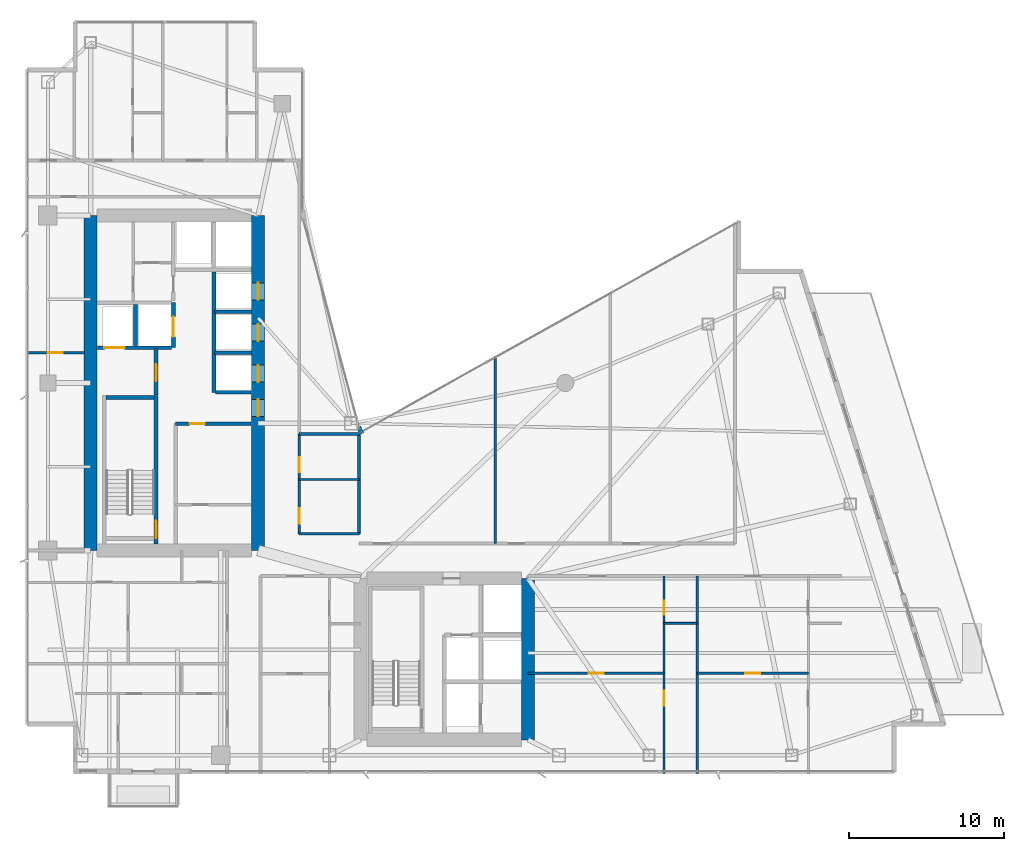
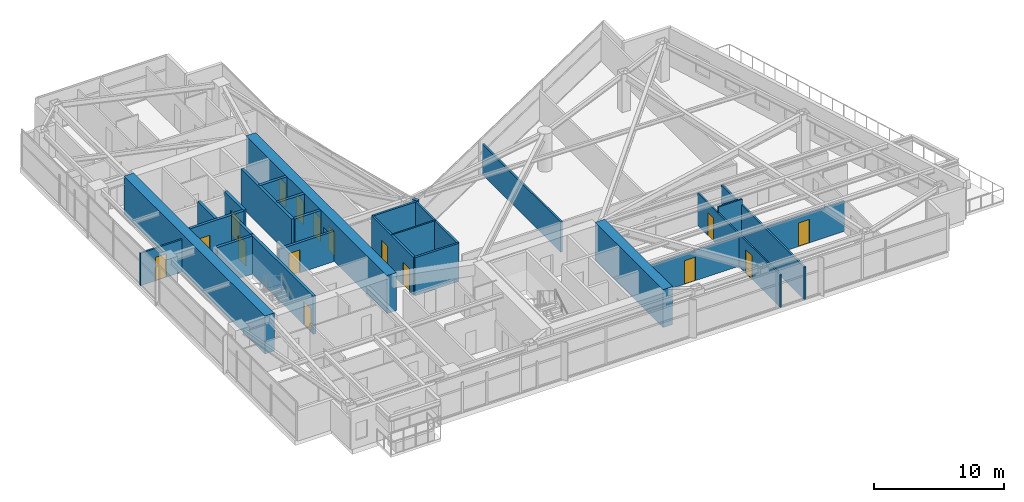
# One storey, part 23 of 28: 27 walls, 16 doors, 16 openings.
"""IFC4 building model written with IfcOpenShell, lengths in metres."""

import ifcopenshell
import ifcopenshell.guid

model = None  # the IFC model being written
_history = None  # IfcOwnerHistory: only IFC2X3 demands one
_inside = {}  # id of a spatial element -> (the spatial element, [elements in it])
_under = {}  # id of a project, library or spatial element -> (it, [spatial elements below it])
_declared = {}  # id of a project -> (the project, [libraries it declares])
_typed = {}  # id of a type object -> (the type object, [elements of that type])
_made_of = {}  # id of a material, layer set ... -> (it, [elements and type objects made of it])


def new_model(schema):
    """Start an empty IFC model of exactly this schema.

    Asked for "IFC4X3", IfcOpenShell would pick the latest addendum, in which some entities
    have other attributes; the version numbers below select the first issue.
    IFC2X3 requires an IfcOwnerHistory on every rooted entity: one is made here for all.
    """
    global model, _history
    if schema == "IFC4X3":
        model = ifcopenshell.file(schema_version=(4, 3, 0, 0))
    else:
        model = ifcopenshell.file(schema=schema)
    _inside.clear()
    _under.clear()
    _declared.clear()
    _typed.clear()
    _made_of.clear()
    _history = None
    if model.schema == "IFC2X3":
        org = make("IfcOrganization", Name="unknown")
        user = make(
            "IfcPersonAndOrganization",
            ThePerson=make("IfcPerson", FamilyName="unknown"),
            TheOrganization=org,
        )
        app = make(
            "IfcApplication",
            ApplicationDeveloper=org,
            Version="unknown",
            ApplicationFullName="unknown",
            ApplicationIdentifier="unknown",
        )
        _history = make(
            "IfcOwnerHistory",
            OwningUser=user,
            OwningApplication=app,
            ChangeAction="ADDED",
            CreationDate=0,
        )
    return model


def make(cls, **values):
    """One entity of the class cls with the attributes given. An attribute that is None is left unset."""
    return model.create_entity(
        cls, **{name: value for name, value in values.items() if value is not None}
    )


def rooted(cls, **values):
    """An entity with a GlobalId (a new one), such as an element, a storey or a relation."""
    return make(cls, GlobalId=ifcopenshell.guid.new(), OwnerHistory=_history, **values)


def si_unit(unit_type, name, prefix=None):
    """IfcSIUnit, for example si_unit("LENGTHUNIT", "METRE", prefix="MILLI")."""
    return make("IfcSIUnit", UnitType=unit_type, Prefix=prefix, Name=name)


def assignment(units):
    """IfcUnitAssignment: the units of a project."""
    return None if units is None else make("IfcUnitAssignment", Units=units)


def point(xyz):
    """IfcCartesianPoint."""
    return None if xyz is None else make("IfcCartesianPoint", Coordinates=xyz)


def direction(xyz):
    """IfcDirection."""
    return None if xyz is None else make("IfcDirection", DirectionRatios=xyz)


def frame(location, z_axis=None, x_axis=None):
    """IfcAxis2Placement3D, a coordinate frame: its origin and axes. An axis left out is left unset."""
    return make(
        "IfcAxis2Placement3D",
        Location=point(location),
        Axis=direction(z_axis),
        RefDirection=direction(x_axis),
    )


def frame_2d(location, x_axis=None):
    """IfcAxis2Placement2D, a coordinate frame in the plane: its origin and x axis."""
    return make(
        "IfcAxis2Placement2D", Location=point(location), RefDirection=direction(x_axis)
    )


def origin():
    """The frame at (0, 0, 0) with its axes left unset."""
    return frame((0.0, 0.0, 0.0))


def place(relative_to, where):
    """IfcLocalPlacement: puts the frame where relative to a parent placement (None: the world)."""
    return make(
        "IfcLocalPlacement", PlacementRelTo=relative_to, RelativePlacement=where
    )


def context(
    kind, dimensions, precision=None, world=None, true_north=None, identifier=None
):
    """IfcGeometricRepresentationContext, for example the 3D "Model" context."""
    return make(
        "IfcGeometricRepresentationContext",
        ContextIdentifier=identifier,
        ContextType=kind,
        CoordinateSpaceDimension=dimensions,
        Precision=precision,
        WorldCoordinateSystem=world,
        TrueNorth=true_north,
    )


def subcontext(parent, identifier, kind, view, scale=None):
    """IfcGeometricRepresentationSubContext, for example "Body" below "Model"."""
    return make(
        "IfcGeometricRepresentationSubContext",
        ContextIdentifier=identifier,
        ContextType=kind,
        ParentContext=parent,
        TargetScale=scale,
        TargetView=view,
    )


def project(units=None, contexts=None):
    """IfcProject with its units and contexts."""
    return rooted(
        "IfcProject",
        Name="project",
        RepresentationContexts=contexts,
        UnitsInContext=assignment(units),
    )


def spatial(cls, under=None, at=None, **own):
    """A site, building, storey or space (cls), placed at a placement, below another one or the project."""
    s = rooted(cls, ObjectPlacement=at, **own)
    if under is not None:
        _under.setdefault(under.id(), (under, []))[1].append(s)
    return s


def profile(cls, at=None, kind="AREA", **sizes):
    """A parametric profile (cls). Its sizes go by their IFC names, for example OverallWidth=200.0."""
    return make(cls, ProfileType=kind, Position=at, **sizes)


def rectangle(**sizes):
    """IfcRectangleProfileDef."""
    return profile("IfcRectangleProfileDef", **sizes)


def extrude(swept, where, along, depth):
    """IfcExtrudedAreaSolid: the profile swept, set in the frame where, extruded along a direction by depth."""
    return make(
        "IfcExtrudedAreaSolid",
        SweptArea=swept,
        Position=where,
        ExtrudedDirection=direction(along),
        Depth=depth,
    )


def shape(context_of_items, identifier, shape_type, items):
    """IfcShapeRepresentation: the items that make up one representation, for example the "Body"."""
    return make(
        "IfcShapeRepresentation",
        ContextOfItems=context_of_items,
        RepresentationIdentifier=identifier,
        RepresentationType=shape_type,
        Items=items,
    )


def material(Name=None, Category=None):
    """IfcMaterial."""
    return make("IfcMaterial", Name=Name, Category=Category)


def layer(
    of_material, thickness, ventilated=None, Name=None, Category=None, Priority=None
):
    """IfcMaterialLayer: one layer of a wall or slab, of a material (None: an air gap)."""
    return make(
        "IfcMaterialLayer",
        Material=of_material,
        LayerThickness=thickness,
        IsVentilated=ventilated,
        Name=Name,
        Category=Category,
        Priority=Priority,
    )


def layer_set(layers, Name=None):
    """IfcMaterialLayerSet."""
    return make("IfcMaterialLayerSet", MaterialLayers=layers, LayerSetName=Name)


def made_of(thing, what):
    """Note that an element or type object is made of a material, layer set ...; save() writes the relation."""
    if what is not None:
        _made_of.setdefault(what.id(), (what, []))[1].append(thing)
    return thing


def type_object(cls, material=None, **own):
    """A type object (cls), such as IfcWallType, which elements share."""
    return made_of(rooted(cls, **own), material)


def element(
    cls,
    number,
    at=None,
    inside=None,
    cuts=None,
    type_object=None,
    material=None,
    context=None,
    identifier="Body",
    shape_type=None,
    held_by="IfcProductDefinitionShape",
    body=None,
    shapes=None,
    **own,
):
    """One element of the class cls, such as IfcWall. Its Tag is "e" and its number.

    at: its placement. inside: the storey or other place that contains it. cuts: it is an
    opening in that element (IfcRelVoidsElement). A single representation is given by context,
    identifier, shape_type and body (its items); several are given by shapes. held_by: the class
    of the entity that holds the representations. save() writes the other relations.
    """
    e = rooted(cls, Tag="e%d" % number, ObjectPlacement=at, **own)
    if body is not None:
        shapes = [shape(context, identifier, shape_type, body)]
    if shapes is not None:
        e.Representation = make(held_by, Representations=shapes)
    if inside is not None:
        _inside.setdefault(inside.id(), (inside, []))[1].append(e)
    if cuts is not None:
        rooted(
            "IfcRelVoidsElement", RelatingBuildingElement=cuts, RelatedOpeningElement=e
        )
    if type_object is not None:
        _typed.setdefault(type_object.id(), (type_object, []))[1].append(e)
    return made_of(e, material)


def fill(opening, filler):
    """IfcRelFillsElement: the door or window that sits in an opening."""
    return rooted(
        "IfcRelFillsElement",
        RelatingOpeningElement=opening,
        RelatedBuildingElement=filler,
    )


def aggregate(whole, parts):
    """IfcRelAggregates: a whole, such as a stair, and the parts it consists of."""
    return rooted("IfcRelAggregates", RelatingObject=whole, RelatedObjects=parts)


def save(model, path):
    """Write the relations noted so far, then the file.

    IfcRelAggregates (storeys below a building ...), IfcRelContainedInSpatialStructure (elements
    in a storey), IfcRelDefinesByType, IfcRelAssociatesMaterial and IfcRelDeclares: one each for
    every whole, place, type object, material and project.
    """
    for whole, parts in _under.values():
        aggregate(whole, parts)
    for where, things in _inside.values():
        rooted(
            "IfcRelContainedInSpatialStructure",
            RelatedElements=things,
            RelatingStructure=where,
        )
    for kind, things in _typed.values():
        rooted("IfcRelDefinesByType", RelatedObjects=things, RelatingType=kind)
    for what, things in _made_of.values():
        rooted("IfcRelAssociatesMaterial", RelatedObjects=things, RelatingMaterial=what)
    for by, libraries in _declared.values():
        rooted("IfcRelDeclares", RelatingContext=by, RelatedDefinitions=libraries)
    model.write(path)


model = new_model("IFC4")

# Units and contexts
model_context = context("Model", 3, precision=1e-05, world=origin(), true_north=direction((0.0, 1.0)))
body_context = subcontext(model_context, "Body", "Model", "MODEL_VIEW")
ifc_project = project(units=[si_unit("LENGTHUNIT", "METRE"), si_unit("AREAUNIT", "SQUARE_METRE"), si_unit("VOLUMEUNIT", "CUBIC_METRE"), si_unit("PLANEANGLEUNIT", "RADIAN"), si_unit("MASSUNIT", "GRAM", prefix="KILO")], contexts=[model_context])

# Site, building, storey
site_placement = place(None, origin())
site = spatial("IfcSite", under=ifc_project, at=site_placement, CompositionType="ELEMENT")
building_placement = place(site_placement, origin())
building = spatial("IfcBuilding", under=site, at=building_placement, Name="Calvorn Quay Hotel", CompositionType="ELEMENT")
storey_placement = place(building_placement, frame((0.0, 0.0, 97.39990234375)))
storey = spatial("IfcBuildingStorey", under=building, at=storey_placement, Name="L23", CompositionType="ELEMENT", Elevation=97.39990234375)

# Wall
ifc_material_1 = material(Name="Concrete C50", Category="concrete")
ifc_layer_1 = layer(ifc_material_1, 0.85009765625)
ifc_layer_set_1 = layer_set([ifc_layer_1], Name="WL-CORE-850")
wall_type_1 = type_object("IfcWallType", Name="WL-CORE-850", PredefinedType="SHEAR", material=ifc_layer_set_1)
wall_1_placement = place(storey_placement, frame((4.199951171875, 16.800048828125, 0.0), z_axis=(0.0, 0.0, 1.0), x_axis=(0.0, 1.0, 0.0)))
element("IfcWall", 1, at=wall_1_placement, inside=storey, type_object=wall_type_1, Name="West Core Shear Wall W (L23)", PredefinedType="SHEAR", context=body_context, shape_type="SweptSolid", body=[
    extrude(rectangle(XDim=21.599853515625, YDim=0.85009765625, at=frame_2d((10.7998046875, 0.0))), origin(), (0.0, 0.0, 1.0), 3.56005859375),
])

# Wall, openings, doors
wall_2_placement = place(storey_placement, frame((15.0, 16.800048828125, 0.0), z_axis=(0.0, 0.0, 1.0), x_axis=(0.0, 1.0, 0.0)))
wall_2 = element("IfcWall", 2, at=wall_2_placement, inside=storey, type_object=wall_type_1, Name="West Core Shear Wall E (L23)", PredefinedType="SHEAR", context=body_context, shape_type="SweptSolid", body=[
    extrude(rectangle(XDim=21.599853515625, YDim=0.85009765625, at=frame_2d((10.7998046875, 0.0))), origin(), (0.0, 0.0, 1.0), 3.56005859375),
])
opening_1_placement = place(wall_2_placement, frame((8.64990234375, 0.0, 0.0)))
opening_1 = element("IfcOpeningElement", 3, at=opening_1_placement, cuts=wall_2, Name="Opening D-L23-CW1", PredefinedType="OPENING", context=body_context, shape_type="SweptSolid", body=[
    extrude(rectangle(XDim=1.10009765625, YDim=2.199951171875, at=frame_2d((0.550048828125, 1.10009765625))), frame((0.0, 0.43505859375, 0.0), z_axis=(0.0, -1.0, 0.0), x_axis=(1.0, 0.0, 0.0)), (0.0, 0.0, 1.0), 0.8701171875),
])
opening_2_placement = place(wall_2_placement, frame((10.85009765625, 0.0, 0.0)))
opening_2 = element("IfcOpeningElement", 4, at=opening_2_placement, cuts=wall_2, Name="Opening LD-L23-M1", PredefinedType="OPENING", context=body_context, shape_type="SweptSolid", body=[
    extrude(rectangle(XDim=1.10009765625, YDim=2.199951171875, at=frame_2d((0.550048828125, 1.10009765625))), frame((0.0, 0.43505859375, 0.0), z_axis=(0.0, -1.0, 0.0), x_axis=(1.0, 0.0, 0.0)), (0.0, 0.0, 1.0), 0.8701171875),
])
opening_3_placement = place(wall_2_placement, frame((13.5, 0.0, 0.0)))
opening_3 = element("IfcOpeningElement", 5, at=opening_3_placement, cuts=wall_2, Name="Opening LD-L23-M2", PredefinedType="OPENING", context=body_context, shape_type="SweptSolid", body=[
    extrude(rectangle(XDim=1.10009765625, YDim=2.199951171875, at=frame_2d((0.550048828125, 1.10009765625))), frame((0.0, 0.43505859375, 0.0), z_axis=(0.0, -1.0, 0.0), x_axis=(1.0, 0.0, 0.0)), (0.0, 0.0, 1.0), 0.8701171875),
])
opening_4_placement = place(wall_2_placement, frame((16.14990234375, 0.0, 0.0)))
opening_4 = element("IfcOpeningElement", 6, at=opening_4_placement, cuts=wall_2, Name="Opening LD-L23-M3", PredefinedType="OPENING", context=body_context, shape_type="SweptSolid", body=[
    extrude(rectangle(XDim=1.10009765625, YDim=2.199951171875, at=frame_2d((0.550048828125, 1.10009765625))), frame((0.0, 0.43505859375, 0.0), z_axis=(0.0, -1.0, 0.0), x_axis=(1.0, 0.0, 0.0)), (0.0, 0.0, 1.0), 0.8701171875),
])
ifc_material_2 = material(Name="Smoke-Sealed Steel Class A Fire Door", Category="steel")
door_type_1 = type_object("IfcDoorType", Name="DR-FFLOBBY-1100", OperationType="NOTDEFINED", PredefinedType="DOOR", material=ifc_material_2)
door_1_placement = place(opening_1_placement, origin())
door_1 = element("IfcDoor", 7, at=door_1_placement, inside=storey, type_object=door_type_1, Name="West Core Vestibule Fire Door (L23)", OperationType="SINGLE_SWING_RIGHT", OverallHeight=2.199951171875, OverallWidth=1.10009765625, PredefinedType="DOOR", context=body_context, shape_type="SweptSolid", body=[
    extrude(rectangle(XDim=1.10009765625, YDim=2.199951171875, at=frame_2d((0.550048828125, 1.10009765625))), frame((0.0, 0.02490234375, 0.0), z_axis=(0.0, -1.0, 0.0), x_axis=(1.0, 0.0, 0.0)), (0.0, 0.0, 1.0), 0.050048828125),
])
fill(opening_1, door_1)
ifc_material_3 = material(Name="Brushed Stainless Steel Sliding Lift Landing Door", Category="steel")
door_type_2 = type_object("IfcDoorType", Name="DR-LIFT-PASS-1100", OperationType="NOTDEFINED", PredefinedType="DOOR", material=ifc_material_3)
door_2_placement = place(opening_2_placement, origin())
door_2 = element("IfcDoor", 8, at=door_2_placement, inside=storey, type_object=door_type_2, Name="Mid-Rise Lift PL-M1 Landing Door (L23)", OperationType="DOUBLE_DOOR_SLIDING", OverallHeight=2.199951171875, OverallWidth=1.10009765625, PredefinedType="DOOR", context=body_context, shape_type="SweptSolid", body=[
    extrude(rectangle(XDim=1.10009765625, YDim=2.199951171875, at=frame_2d((0.550048828125, 1.10009765625))), frame((0.0, 0.02490234375, 0.0), z_axis=(0.0, -1.0, 0.0), x_axis=(1.0, 0.0, 0.0)), (0.0, 0.0, 1.0), 0.050048828125),
])
fill(opening_2, door_2)
door_3_placement = place(opening_3_placement, origin())
door_3 = element("IfcDoor", 9, at=door_3_placement, inside=storey, type_object=door_type_2, Name="Mid-Rise Lift PL-M2 Landing Door (L23)", OperationType="DOUBLE_DOOR_SLIDING", OverallHeight=2.199951171875, OverallWidth=1.10009765625, PredefinedType="DOOR", context=body_context, shape_type="SweptSolid", body=[
    extrude(rectangle(XDim=1.10009765625, YDim=2.199951171875, at=frame_2d((0.550048828125, 1.10009765625))), frame((0.0, 0.02490234375, 0.0), z_axis=(0.0, -1.0, 0.0), x_axis=(1.0, 0.0, 0.0)), (0.0, 0.0, 1.0), 0.050048828125),
])
fill(opening_3, door_3)
door_4_placement = place(opening_4_placement, origin())
door_4 = element("IfcDoor", 10, at=door_4_placement, inside=storey, type_object=door_type_2, Name="Mid-Rise Lift PL-M3 Landing Door (L23)", OperationType="DOUBLE_DOOR_SLIDING", OverallHeight=2.199951171875, OverallWidth=1.10009765625, PredefinedType="DOOR", context=body_context, shape_type="SweptSolid", body=[
    extrude(rectangle(XDim=1.10009765625, YDim=2.199951171875, at=frame_2d((0.550048828125, 1.10009765625))), frame((0.0, 0.02490234375, 0.0), z_axis=(0.0, -1.0, 0.0), x_axis=(1.0, 0.0, 0.0)), (0.0, 0.0, 1.0), 0.050048828125),
])
fill(opening_4, door_4)

# Walls
wall_3_placement = place(storey_placement, frame((32.39990234375, 4.60009765625, 0.0), z_axis=(0.0, 0.0, 1.0), x_axis=(0.0, 1.0, 0.0)))
element("IfcWall", 11, at=wall_3_placement, inside=storey, type_object=wall_type_1, Name="East Core Shear Wall E (L23)", PredefinedType="SHEAR", context=body_context, shape_type="SweptSolid", body=[
    extrude(rectangle(XDim=10.39990234375, YDim=0.85009765625, at=frame_2d((5.199951171875, 0.0))), origin(), (0.0, 0.0, 1.0), 3.56005859375),
])
ifc_material_4 = material(Name="Acoustic Fireboard Steel-Stud Partition", Category="steel")
ifc_layer_2 = layer(ifc_material_4, 0.179931640625)
ifc_layer_set_2 = layer_set([ifc_layer_2], Name="WL-CORR-FIRE-180")
wall_type_2 = type_object("IfcWallType", Name="WL-CORR-FIRE-180", PredefinedType="PARTITIONING", material=ifc_layer_set_2)
wall_4_placement = place(storey_placement, frame((17.64990234375, 17.8798828125, 0.0), z_axis=(0.0, 0.0, 1.0), x_axis=(1.0, 0.0, 0.0)))
element("IfcWall", 12, at=wall_4_placement, inside=storey, type_object=wall_type_2, Name="Partition Wall L23-WL-HK-S", PredefinedType="PARTITIONING", context=body_context, shape_type="SweptSolid", body=[
    extrude(rectangle(XDim=3.900146484375, YDim=0.179931640625, at=frame_2d((1.9501953125, 0.0))), origin(), (0.0, 0.0, 1.0), 3.56005859375),
])
wall_5_placement = place(storey_placement, frame((17.64990234375, 24.320068359375, 0.0), z_axis=(0.0, 0.0, 1.0), x_axis=(1.0, 0.0, 0.0)))
element("IfcWall", 13, at=wall_5_placement, inside=storey, type_object=wall_type_2, Name="Partition Wall L23-WL-HK-N", PredefinedType="PARTITIONING", context=body_context, shape_type="SweptSolid", body=[
    extrude(rectangle(XDim=3.9501953125, YDim=0.179931640625, at=frame_2d((1.97509765625, 0.0))), origin(), (0.0, 0.0, 1.0), 3.56005859375),
])
wall_6_placement = place(storey_placement, frame((21.5, 17.8798828125, 0.0), z_axis=(0.0, 0.0, 1.0), x_axis=(0.0, 1.0, 0.0)))
element("IfcWall", 14, at=wall_6_placement, inside=storey, type_object=wall_type_2, Name="Partition Wall L23-WL-HK-E", PredefinedType="PARTITIONING", context=body_context, shape_type="SweptSolid", body=[
    extrude(rectangle(XDim=6.440185546875, YDim=0.179931640625, at=frame_2d((3.22021484375, 0.0))), origin(), (0.0, 0.0, 1.0), 3.56005859375),
])

# Wall, openings, doors
wall_7_placement = place(storey_placement, frame((17.64990234375, 17.8798828125, 0.0), z_axis=(0.0, 0.0, 1.0), x_axis=(0.0, 1.0, 0.0)))
wall_7 = element("IfcWall", 15, at=wall_7_placement, inside=storey, type_object=wall_type_2, Name="Partition Wall L23-WL-HK-W", PredefinedType="PARTITIONING", context=body_context, shape_type="SweptSolid", body=[
    extrude(rectangle(XDim=6.440185546875, YDim=0.179931640625, at=frame_2d((3.22021484375, 0.0))), origin(), (0.0, 0.0, 1.0), 3.56005859375),
])
opening_5_placement = place(wall_7_placement, frame((0.64990234375, 0.0, 0.0)))
opening_5 = element("IfcOpeningElement", 16, at=opening_5_placement, cuts=wall_7, Name="Opening D-L23-HK", PredefinedType="OPENING", context=body_context, shape_type="SweptSolid", body=[
    extrude(rectangle(XDim=0.97998046875, YDim=2.14990234375, at=frame_2d((0.489990234375, 1.074951171875))), frame((0.0, 0.099853515625, 0.0), z_axis=(0.0, -1.0, 0.0), x_axis=(1.0, 0.0, 0.0)), (0.0, 0.0, 1.0), 0.199951171875),
])
opening_6_placement = place(wall_7_placement, frame((3.969970703125, 0.0, 0.0)))
opening_6 = element("IfcOpeningElement", 17, at=opening_6_placement, cuts=wall_7, Name="Opening D-L23-NCP", PredefinedType="OPENING", context=body_context, shape_type="SweptSolid", body=[
    extrude(rectangle(XDim=0.9599609375, YDim=2.199951171875, at=frame_2d((0.47998046875, 1.10009765625))), frame((0.0, 0.099853515625, 0.0), z_axis=(0.0, -1.0, 0.0), x_axis=(1.0, 0.0, 0.0)), (0.0, 0.0, 1.0), 0.199951171875),
])
ifc_material_5 = material(Name="Painted Steel Housekeeping/Riser Fire Door", Category="steel")
door_type_3 = type_object("IfcDoorType", Name="DR-SERVICE-980", OperationType="NOTDEFINED", PredefinedType="DOOR", material=ifc_material_5)
door_5_placement = place(opening_5_placement, origin())
door_5 = element("IfcDoor", 18, at=door_5_placement, inside=storey, type_object=door_type_3, Name="Floor Housekeeping Door (L23)", OperationType="SINGLE_SWING_LEFT", OverallHeight=2.14990234375, OverallWidth=0.97998046875, PredefinedType="DOOR", context=body_context, shape_type="SweptSolid", body=[
    extrude(rectangle(XDim=0.97998046875, YDim=2.14990234375, at=frame_2d((0.489990234375, 1.074951171875))), frame((0.0, 0.02490234375, 0.0), z_axis=(0.0, -1.0, 0.0), x_axis=(1.0, 0.0, 0.0)), (0.0, 0.0, 1.0), 0.050048828125),
])
fill(opening_5, door_5)
ifc_material_6 = material(Name="Solid Timber Internal Suite Door", Category="wood")
door_type_4 = type_object("IfcDoorType", Name="DR-SUITE-INT-960", OperationType="NOTDEFINED", PredefinedType="DOOR", material=ifc_material_6)
door_6_placement = place(opening_6_placement, origin())
door_6 = element("IfcDoor", 19, at=door_6_placement, inside=storey, type_object=door_type_4, Name="Reading Alcove Door (L23)", OperationType="SINGLE_SWING_RIGHT", OverallHeight=2.199951171875, OverallWidth=0.9599609375, PredefinedType="DOOR", context=body_context, shape_type="SweptSolid", body=[
    extrude(rectangle(XDim=0.9599609375, YDim=2.199951171875, at=frame_2d((0.47998046875, 1.10009765625))), frame((0.0, 0.02490234375, 0.0), z_axis=(0.0, -1.0, 0.0), x_axis=(1.0, 0.0, 0.0)), (0.0, 0.0, 1.0), 0.050048828125),
])
fill(opening_6, door_6)

# Walls
ifc_material_7 = material(Name="Moisture-Resistant Tile-Backed Partition")
ifc_layer_3 = layer(ifc_material_7, 0.125)
ifc_layer_set_3 = layer_set([ifc_layer_3], Name="WL-ENSUITE-125")
wall_type_3 = type_object("IfcWallType", Name="WL-ENSUITE-125", PredefinedType="PARTITIONING", material=ifc_layer_set_3)
wall_8_placement = place(storey_placement, frame((17.64990234375, 21.3798828125, 0.0), z_axis=(0.0, 0.0, 1.0), x_axis=(1.0, 0.0, 0.0)))
element("IfcWall", 20, at=wall_8_placement, inside=storey, type_object=wall_type_3, Name="Partition Wall L23-WL-HK-M", PredefinedType="PARTITIONING", context=body_context, shape_type="SweptSolid", body=[
    extrude(rectangle(XDim=3.900146484375, YDim=0.125, at=frame_2d((1.9501953125, 0.0))), origin(), (0.0, 0.0, 1.0), 3.56005859375),
])
wall_9_placement = place(storey_placement, frame((41.169921875, 12.10009765625, 0.0), z_axis=(0.0, 0.0, 1.0), x_axis=(1.0, 0.0, 0.0)))
element("IfcWall", 21, at=wall_9_placement, inside=storey, type_object=wall_type_3, Name="Partition Wall L23-WL-U06-BDV", PredefinedType="PARTITIONING", context=body_context, shape_type="SweptSolid", body=[
    extrude(rectangle(XDim=2.130126953125, YDim=0.125, at=frame_2d((1.06494140625, 0.0))), origin(), (0.0, 0.0, 1.0), 3.56005859375),
])

# Wall, openings, doors
wall_10_placement = place(storey_placement, frame((41.169921875, 2.43994140625, 0.0), z_axis=(0.0, 0.0, 1.0), x_axis=(0.0, 1.0, 0.0)))
wall_10 = element("IfcWall", 22, at=wall_10_placement, inside=storey, type_object=wall_type_3, Name="Partition Wall L23-WL-U06-BV", PredefinedType="PARTITIONING", context=body_context, shape_type="SweptSolid", body=[
    extrude(rectangle(XDim=12.7099609375, YDim=0.125, at=frame_2d((6.35498046875, 0.0))), origin(), (0.0, 0.0, 1.0), 3.0400390625),
])
opening_7_placement = place(wall_10_placement, frame((4.35009765625, 0.0, 0.0)))
opening_7 = element("IfcOpeningElement", 23, at=opening_7_placement, cuts=wall_10, Name="Opening D-L23-S06", PredefinedType="OPENING", context=body_context, shape_type="SweptSolid", body=[
    extrude(rectangle(XDim=0.9599609375, YDim=2.199951171875, at=frame_2d((0.47998046875, 1.10009765625))), frame((0.0, 0.072509765625, 0.0), z_axis=(0.0, -1.0, 0.0), x_axis=(1.0, 0.0, 0.0)), (0.0, 0.0, 1.0), 0.14501953125),
])
opening_8_placement = place(wall_10_placement, frame((10.2099609375, 0.0, 0.0)))
opening_8 = element("IfcOpeningElement", 24, at=opening_8_placement, cuts=wall_10, Name="Opening D-L23-E06", PredefinedType="OPENING", context=body_context, shape_type="SweptSolid", body=[
    extrude(rectangle(XDim=0.89990234375, YDim=2.14990234375, at=frame_2d((0.449951171875, 1.074951171875))), frame((0.0, 0.072509765625, 0.0), z_axis=(0.0, -1.0, 0.0), x_axis=(1.0, 0.0, 0.0)), (0.0, 0.0, 1.0), 0.14501953125),
])
ifc_material_8 = material(Name="Moisture-Sealed Timber En-Suite Door", Category="wood")
door_type_5 = type_object("IfcDoorType", Name="DR-ENSUITE-900", OperationType="NOTDEFINED", PredefinedType="DOOR", material=ifc_material_8)
door_7_placement = place(opening_8_placement, origin())
door_7 = element("IfcDoor", 25, at=door_7_placement, inside=storey, type_object=door_type_5, Name="En-Suite Door 06", OperationType="SINGLE_SWING_RIGHT", OverallHeight=2.14990234375, OverallWidth=0.89990234375, PredefinedType="DOOR", context=body_context, shape_type="SweptSolid", body=[
    extrude(rectangle(XDim=0.89990234375, YDim=2.14990234375, at=frame_2d((0.449951171875, 1.074951171875))), frame((0.0, 0.02490234375, 0.0), z_axis=(0.0, -1.0, 0.0), x_axis=(1.0, 0.0, 0.0)), (0.0, 0.0, 1.0), 0.050048828125),
])
fill(opening_8, door_7)
door_8_placement = place(opening_7_placement, origin())
door_8 = element("IfcDoor", 26, at=door_8_placement, inside=storey, type_object=door_type_4, Name="Children Play Nursery Door 06", OperationType="SINGLE_SWING_LEFT", OverallHeight=2.199951171875, OverallWidth=0.9599609375, PredefinedType="DOOR", context=body_context, shape_type="SweptSolid", body=[
    extrude(rectangle(XDim=0.9599609375, YDim=2.199951171875, at=frame_2d((0.47998046875, 1.10009765625))), frame((0.0, 0.02490234375, 0.0), z_axis=(0.0, -1.0, 0.0), x_axis=(1.0, 0.0, 0.0)), (0.0, 0.0, 1.0), 0.050048828125),
])
fill(opening_7, door_8)

# Wall
ifc_material_9 = material(Name="Concrete C40", Category="concrete")
ifc_layer_4 = layer(ifc_material_9, 0.320068359375)
ifc_layer_set_4 = layer_set([ifc_layer_4], Name="WL-EXT-SPANDREL-320")
wall_type_4 = type_object("IfcWallType", Name="WL-EXT-SPANDREL-320", PredefinedType="SOLIDWALL", material=ifc_layer_set_4)
wall_11_placement = place(storey_placement, frame((21.679931640625, 24.340087890625, 0.0), z_axis=(0.0, 0.0, 1.0), x_axis=(-0.40758134973, 0.913168901875, 0.0)))
element("IfcWall", 27, at=wall_11_placement, inside=storey, type_object=wall_type_4, Name="Inner Court Corner Pier L23-ICJ1", PredefinedType="SOLIDWALL", context=body_context, shape_type="SweptSolid", body=[
    extrude(rectangle(XDim=0.470703125, YDim=0.280029296875, at=frame_2d((0.2353515625, 0.0))), origin(), (0.0, 0.0, 1.0), 3.56005859375),
])

# Wall, opening, door
ifc_material_10 = material(Name="Double-Stud Acoustic Gypsum Partition")
ifc_layer_5 = layer(ifc_material_10, 0.159912109375)
ifc_layer_set_5 = layer_set([ifc_layer_5], Name="WL-INTERSUITE-160")
wall_type_5 = type_object("IfcWallType", Name="WL-INTERSUITE-160", PredefinedType="PARTITIONING", material=ifc_layer_set_5)
wall_12_placement = place(storey_placement, frame((0.080078125, 29.550048828125, 0.0), z_axis=(0.0, 0.0, 1.0), x_axis=(1.0, 0.0, 0.0)))
wall_12 = element("IfcWall", 28, at=wall_12_placement, inside=storey, type_object=wall_type_5, Name="Partition Wall L23-WL-WBAY-DIV", PredefinedType="PARTITIONING", context=body_context, shape_type="SweptSolid", body=[
    extrude(rectangle(XDim=3.724853515625, YDim=0.159912109375, at=frame_2d((1.8623046875, 0.0))), origin(), (0.0, 0.0, 1.0), 3.0400390625),
])
opening_9_placement = place(wall_12_placement, frame((1.35009765625, 0.0, 0.0)))
opening_9 = element("IfcOpeningElement", 29, at=opening_9_placement, cuts=wall_12, Name="Opening D-L23-WBD", PredefinedType="OPENING", context=body_context, shape_type="SweptSolid", body=[
    extrude(rectangle(XDim=0.9599609375, YDim=2.199951171875, at=frame_2d((0.47998046875, 1.10009765625))), frame((0.0, 0.08984375, 0.0), z_axis=(0.0, -1.0, 0.0), x_axis=(1.0, 0.0, 0.0)), (0.0, 0.0, 1.0), 0.179931640625),
])
door_9_placement = place(opening_9_placement, origin())
door_9 = element("IfcDoor", 30, at=door_9_placement, inside=storey, type_object=door_type_4, Name="West Bay Connecting Door (L23)", OperationType="SINGLE_SWING_LEFT", OverallHeight=2.199951171875, OverallWidth=0.9599609375, PredefinedType="DOOR", context=body_context, shape_type="SweptSolid", body=[
    extrude(rectangle(XDim=0.9599609375, YDim=2.199951171875, at=frame_2d((0.47998046875, 1.10009765625))), frame((0.0, 0.02490234375, 0.0), z_axis=(0.0, -1.0, 0.0), x_axis=(1.0, 0.0, 0.0)), (0.0, 0.0, 1.0), 0.050048828125),
])
fill(opening_9, door_9)

wall_13_placement = place(storey_placement, frame((32.39990234375, 8.8798828125, 0.0), z_axis=(0.0, 0.0, 1.0), x_axis=(1.0, 0.0, 0.0)))
wall_13 = element("IfcWall", 31, at=wall_13_placement, inside=storey, type_object=wall_type_5, Name="Partition Wall L23-WL-U06-MSP", PredefinedType="PARTITIONING", context=body_context, shape_type="SweptSolid", body=[
    extrude(rectangle(XDim=8.77001953125, YDim=0.159912109375, at=frame_2d((4.385009765625, 0.0))), origin(), (0.0, 0.0, 1.0), 2.840087890625),
])
opening_10_placement = place(wall_13_placement, frame((3.909912109375, 0.0, 0.0)))
opening_10 = element("IfcOpeningElement", 32, at=opening_10_placement, cuts=wall_13, Name="Opening D-L23-M06", PredefinedType="OPENING", context=body_context, shape_type="SweptSolid", body=[
    extrude(rectangle(XDim=0.9599609375, YDim=2.199951171875, at=frame_2d((0.47998046875, 1.10009765625))), frame((0.0, 0.08984375, 0.0), z_axis=(0.0, -1.0, 0.0), x_axis=(1.0, 0.0, 0.0)), (0.0, 0.0, 1.0), 0.179931640625),
])
door_10_placement = place(opening_10_placement, origin())
door_10 = element("IfcDoor", 33, at=door_10_placement, inside=storey, type_object=door_type_4, Name="Suite Bedroom Door 06", OperationType="SINGLE_SWING_LEFT", OverallHeight=2.199951171875, OverallWidth=0.9599609375, PredefinedType="DOOR", context=body_context, shape_type="SweptSolid", body=[
    extrude(rectangle(XDim=0.9599609375, YDim=2.199951171875, at=frame_2d((0.47998046875, 1.10009765625))), frame((0.0, 0.02490234375, 0.0), z_axis=(0.0, -1.0, 0.0), x_axis=(1.0, 0.0, 0.0)), (0.0, 0.0, 1.0), 0.050048828125),
])
fill(opening_10, door_10)

wall_14_placement = place(storey_placement, frame((43.300048828125, 8.8798828125, 0.0), z_axis=(0.0, 0.0, 1.0), x_axis=(1.0, 0.0, 0.0)))
wall_14 = element("IfcWall", 34, at=wall_14_placement, inside=storey, type_object=wall_type_5, Name="Partition Wall L23-WL-U07-MSP", PredefinedType="PARTITIONING", context=body_context, shape_type="SweptSolid", body=[
    extrude(rectangle(XDim=7.169921875, YDim=0.159912109375, at=frame_2d((3.5849609375, 0.0))), origin(), (0.0, 0.0, 1.0), 2.840087890625),
])
opening_11_placement = place(wall_14_placement, frame((3.110107421875, 0.0, 0.0)))
opening_11 = element("IfcOpeningElement", 35, at=opening_11_placement, cuts=wall_14, Name="Opening D-L23-M07", PredefinedType="OPENING", context=body_context, shape_type="SweptSolid", body=[
    extrude(rectangle(XDim=0.9599609375, YDim=2.199951171875, at=frame_2d((0.47998046875, 1.10009765625))), frame((0.0, 0.08984375, 0.0), z_axis=(0.0, -1.0, 0.0), x_axis=(1.0, 0.0, 0.0)), (0.0, 0.0, 1.0), 0.179931640625),
])
door_11_placement = place(opening_11_placement, origin())
door_11 = element("IfcDoor", 36, at=door_11_placement, inside=storey, type_object=door_type_4, Name="Suite Bedroom Door 07", OperationType="SINGLE_SWING_LEFT", OverallHeight=2.199951171875, OverallWidth=0.9599609375, PredefinedType="DOOR", context=body_context, shape_type="SweptSolid", body=[
    extrude(rectangle(XDim=0.9599609375, YDim=2.199951171875, at=frame_2d((0.47998046875, 1.10009765625))), frame((0.0, 0.02490234375, 0.0), z_axis=(0.0, -1.0, 0.0), x_axis=(1.0, 0.0, 0.0)), (0.0, 0.0, 1.0), 0.050048828125),
])
fill(opening_11, door_11)

# Walls
wall_15_placement = place(storey_placement, frame((43.300048828125, 2.43994140625, 0.0), z_axis=(0.0, 0.0, 1.0), x_axis=(0.0, 1.0, 0.0)))
element("IfcWall", 37, at=wall_15_placement, inside=storey, type_object=wall_type_5, Name="Partition Wall L23-WL-SE-DIV-1", PredefinedType="PARTITIONING", context=body_context, shape_type="SweptSolid", body=[
    extrude(rectangle(XDim=12.7099609375, YDim=0.159912109375, at=frame_2d((6.35498046875, 0.0))), origin(), (0.0, 0.0, 1.0), 3.0400390625),
])
wall_16_placement = place(storey_placement, frame((30.300048828125, 17.25, 0.0), z_axis=(0.0, 0.0, 1.0), x_axis=(0.0, 1.0, 0.0)))
element("IfcWall", 38, at=wall_16_placement, inside=storey, type_object=wall_type_5, Name="Partition Wall L23-WL-NE-DIV-1", PredefinedType="PARTITIONING", context=body_context, shape_type="SweptSolid", body=[
    extrude(rectangle(XDim=12.080078125, YDim=0.159912109375, at=frame_2d((6.0400390625, 0.0))), origin(), (0.0, 0.0, 1.0), 2.840087890625),
])

# Wall, opening, door
ifc_material_11 = material(Name="Autoclaved Aerated Masonry Block", Category="masonry")
ifc_layer_6 = layer(ifc_material_11, 0.219970703125)
ifc_layer_set_6 = layer_set([ifc_layer_6], Name="WL-LOBBY-FIRE-220")
wall_type_6 = type_object("IfcWallType", Name="WL-LOBBY-FIRE-220", PredefinedType="SOLIDWALL", material=ifc_layer_set_6)
wall_17_placement = place(storey_placement, frame((9.679931640625, 24.969970703125, 0.0), z_axis=(0.0, 0.0, 1.0), x_axis=(1.0, 0.0, 0.0)))
wall_17 = element("IfcWall", 39, at=wall_17_placement, inside=storey, type_object=wall_type_6, Name="Partition Wall L23-WL-CWW-FR-N", PredefinedType="SOLIDWALL", context=body_context, shape_type="SweptSolid", body=[
    extrude(rectangle(XDim=4.875, YDim=0.219970703125, at=frame_2d((2.4375, 0.0))), origin(), (0.0, 0.0, 1.0), 2.840087890625),
])
opening_12_placement = place(wall_17_placement, frame((0.89990234375, 0.0, 0.0)))
opening_12 = element("IfcOpeningElement", 40, at=opening_12_placement, cuts=wall_17, Name="Opening D-L23-FRL2", PredefinedType="OPENING", context=body_context, shape_type="SweptSolid", body=[
    extrude(rectangle(XDim=0.97998046875, YDim=2.14990234375, at=frame_2d((0.489990234375, 1.074951171875))), frame((0.0, 0.119873046875, 0.0), z_axis=(0.0, -1.0, 0.0), x_axis=(1.0, 0.0, 0.0)), (0.0, 0.0, 1.0), 0.239990234375),
])
door_12_placement = place(opening_12_placement, origin())
door_12 = element("IfcDoor", 41, at=door_12_placement, inside=storey, type_object=door_type_3, Name="Beverage Pantry Door (L23)", OperationType="SINGLE_SWING_RIGHT", OverallHeight=2.14990234375, OverallWidth=0.97998046875, PredefinedType="DOOR", context=body_context, shape_type="SweptSolid", body=[
    extrude(rectangle(XDim=0.97998046875, YDim=2.14990234375, at=frame_2d((0.489990234375, 1.074951171875))), frame((0.0, 0.02490234375, 0.0), z_axis=(0.0, -1.0, 0.0), x_axis=(1.0, 0.0, 0.0)), (0.0, 0.0, 1.0), 0.050048828125),
])
fill(opening_12, door_12)

ifc_material_12 = material(Name="Concrete C40", Category="concrete")
ifc_layer_7 = layer(ifc_material_12, 0.239990234375)
ifc_layer_set_7 = layer_set([ifc_layer_7], Name="WL-SHAFT-240")
wall_type_7 = type_object("IfcWallType", Name="WL-SHAFT-240", PredefinedType="SOLIDWALL", material=ifc_layer_set_7)
wall_18_placement = place(storey_placement, frame((8.419921875, 17.22509765625, 0.0), z_axis=(0.0, 0.0, 1.0), x_axis=(0.0, 1.0, 0.0)))
wall_18 = element("IfcWall", 42, at=wall_18_placement, inside=storey, type_object=wall_type_7, Name="Stair STW Shaft Wall E (L23)", PredefinedType="SOLIDWALL", context=body_context, shape_type="SweptSolid", body=[
    extrude(rectangle(XDim=9.56494140625, YDim=0.239990234375, at=frame_2d((4.782470703125, 0.0))), origin(), (0.0, 0.0, 1.0), 3.56005859375),
])
opening_13_placement = place(wall_18_placement, frame((0.35009765625, 0.0, 0.0)))
opening_13 = element("IfcOpeningElement", 43, at=opening_13_placement, cuts=wall_18, Name="Opening D-L23-STW", PredefinedType="OPENING", context=body_context, shape_type="SweptSolid", body=[
    extrude(rectangle(XDim=1.14990234375, YDim=2.199951171875, at=frame_2d((0.574951171875, 1.10009765625))), frame((0.0, 0.1298828125, 0.0), z_axis=(0.0, -1.0, 0.0), x_axis=(1.0, 0.0, 0.0)), (0.0, 0.0, 1.0), 0.260009765625),
])
ifc_material_13 = material(Name="Galvanised Steel Class A Fire Door", Category="steel")
door_type_6 = type_object("IfcDoorType", Name="DR-STAIR-SMOKE-1150", OperationType="NOTDEFINED", PredefinedType="DOOR", material=ifc_material_13)
door_13_placement = place(opening_13_placement, origin())
door_13 = element("IfcDoor", 44, at=door_13_placement, inside=storey, type_object=door_type_6, Name="Stair ST-W Fire Door (L23)", OperationType="SINGLE_SWING_LEFT", OverallHeight=2.199951171875, OverallWidth=1.14990234375, PredefinedType="DOOR", context=body_context, shape_type="SweptSolid", body=[
    extrude(rectangle(XDim=1.14990234375, YDim=2.199951171875, at=frame_2d((0.574951171875, 1.10009765625))), frame((0.0, 0.02490234375, 0.0), z_axis=(0.0, -1.0, 0.0), x_axis=(1.0, 0.0, 0.0)), (0.0, 0.0, 1.0), 0.050048828125),
])
fill(opening_13, door_13)

# Walls
wall_19_placement = place(storey_placement, frame((5.199951171875, 26.669921875, 0.0), z_axis=(0.0, 0.0, 1.0), x_axis=(1.0, 0.0, 0.0)))
element("IfcWall", 45, at=wall_19_placement, inside=storey, type_object=wall_type_7, Name="Stair STW Shaft Wall N (L23)", PredefinedType="SOLIDWALL", context=body_context, shape_type="SweptSolid", body=[
    extrude(rectangle(XDim=3.10009765625, YDim=0.239990234375, at=frame_2d((1.550048828125, 0.0))), origin(), (0.0, 0.0, 1.0), 3.56005859375),
])
for number, where, z_axis, x_axis, name in (
    (46, (12.179931640625, 29.550048828125, 0.0), (0.0, 0.0, 1.0), (1.0, 0.0, 0.0), "Lift Hoistway Divider Wall PLM12 (L23)"),
    (47, (12.179931640625, 32.199951171875, 0.0), (0.0, 0.0, 1.0), (1.0, 0.0, 0.0), "Lift Hoistway Divider Wall PLM23 (L23)"),
):
    element("IfcWall", number, at=place(storey_placement, frame(where, z_axis=z_axis, x_axis=x_axis)), inside=storey, type_object=wall_type_7, Name=name, PredefinedType="SOLIDWALL", context=body_context, shape_type="SweptSolid", body=[
        extrude(rectangle(XDim=2.39501953125, YDim=0.239990234375, at=frame_2d((1.197509765625, 0.0))), origin(), (0.0, 0.0, 1.0), 3.56005859375),
    ])

# Wall, opening, door
wall_20_placement = place(storey_placement, frame((8.419921875, 26.820068359375, 0.0), z_axis=(0.0, 0.0, 1.0), x_axis=(0.0, 1.0, 0.0)))
wall_20 = element("IfcWall", 48, at=wall_20_placement, inside=storey, type_object=wall_type_7, Name="Partition Wall L23-WL-CWW-FFL-E", PredefinedType="SOLIDWALL", context=body_context, shape_type="SweptSolid", body=[
    extrude(rectangle(XDim=3.0, YDim=0.239990234375, at=frame_2d((1.5, 0.0))), origin(), (0.0, 0.0, 1.0), 3.56005859375),
])
opening_14_placement = place(wall_20_placement, frame((0.89990234375, 0.0, 0.0)))
opening_14 = element("IfcOpeningElement", 49, at=opening_14_placement, cuts=wall_20, Name="Opening D-L23-FLW", PredefinedType="OPENING", context=body_context, shape_type="SweptSolid", body=[
    extrude(rectangle(XDim=1.10009765625, YDim=2.199951171875, at=frame_2d((0.550048828125, 1.10009765625))), frame((0.0, 0.1298828125, 0.0), z_axis=(0.0, -1.0, 0.0), x_axis=(1.0, 0.0, 0.0)), (0.0, 0.0, 1.0), 0.260009765625),
])
door_14_placement = place(opening_14_placement, origin())
door_14 = element("IfcDoor", 50, at=door_14_placement, inside=storey, type_object=door_type_1, Name="West Firefighting Lobby Fire Door (L23)", OperationType="SINGLE_SWING_RIGHT", OverallHeight=2.199951171875, OverallWidth=1.10009765625, PredefinedType="DOOR", context=body_context, shape_type="SweptSolid", body=[
    extrude(rectangle(XDim=1.10009765625, YDim=2.199951171875, at=frame_2d((0.550048828125, 1.10009765625))), frame((0.0, 0.02490234375, 0.0), z_axis=(0.0, -1.0, 0.0), x_axis=(1.0, 0.0, 0.0)), (0.0, 0.0, 1.0), 0.050048828125),
])
fill(opening_14, door_14)

wall_21_placement = place(storey_placement, frame((4.64501953125, 29.8798828125, 0.0), z_axis=(0.0, 0.0, 1.0), x_axis=(1.0, 0.0, 0.0)))
wall_21 = element("IfcWall", 51, at=wall_21_placement, inside=storey, type_object=wall_type_7, Name="Partition Wall L23-WL-CWW-FLW-S", PredefinedType="SOLIDWALL", context=body_context, shape_type="SweptSolid", body=[
    extrude(rectangle(XDim=4.77490234375, YDim=0.239990234375, at=frame_2d((2.387451171875, 0.0))), origin(), (0.0, 0.0, 1.0), 3.56005859375),
])
opening_15_placement = place(wall_21_placement, frame((0.449951171875, 0.0, 0.0)))
opening_15 = element("IfcOpeningElement", 52, at=opening_15_placement, cuts=wall_21, Name="Opening LD-L23-FLW1", PredefinedType="OPENING", context=body_context, shape_type="SweptSolid", body=[
    extrude(rectangle(XDim=1.300048828125, YDim=2.35009765625, at=frame_2d((0.64990234375, 1.175048828125))), frame((0.0, 0.1298828125, 0.0), z_axis=(0.0, -1.0, 0.0), x_axis=(1.0, 0.0, 0.0)), (0.0, 0.0, 1.0), 0.260009765625),
])
ifc_material_14 = material(Name="Champagne-Bronze Sliding Express Lift Landing Door")
door_type_7 = type_object("IfcDoorType", Name="DR-LIFT-SHUTTLE-1300", OperationType="NOTDEFINED", PredefinedType="DOOR", material=ifc_material_14)
door_15_placement = place(opening_15_placement, origin())
door_15 = element("IfcDoor", 53, at=door_15_placement, inside=storey, type_object=door_type_7, Name="Firefighting Lift FL-W1 Landing Door (L23)", OperationType="DOUBLE_DOOR_SLIDING", OverallHeight=2.35009765625, OverallWidth=1.300048828125, PredefinedType="DOOR", context=body_context, shape_type="SweptSolid", body=[
    extrude(rectangle(XDim=1.300048828125, YDim=2.35009765625, at=frame_2d((0.64990234375, 1.175048828125))), frame((0.0, 0.02490234375, 0.0), z_axis=(0.0, -1.0, 0.0), x_axis=(1.0, 0.0, 0.0)), (0.0, 0.0, 1.0), 0.050048828125),
])
fill(opening_15, door_15)

# Wall
wall_22_placement = place(storey_placement, frame((7.10009765625, 30.02001953125, 0.0), z_axis=(0.0, 0.0, 1.0), x_axis=(0.0, 1.0, 0.0)))
element("IfcWall", 54, at=wall_22_placement, inside=storey, type_object=wall_type_7, Name="Partition Wall L23-WL-CWW-FLW-DIV", PredefinedType="SOLIDWALL", context=body_context, shape_type="SweptSolid", body=[
    extrude(rectangle(XDim=2.6298828125, YDim=0.239990234375, at=frame_2d((1.31494140625, 0.0))), origin(), (0.0, 0.0, 1.0), 3.56005859375),
])

# Wall, opening, door
wall_23_placement = place(storey_placement, frame((9.5400390625, 29.8798828125, 0.0), z_axis=(0.0, 0.0, 1.0), x_axis=(0.0, 1.0, 0.0)))
wall_23 = element("IfcWall", 55, at=wall_23_placement, inside=storey, type_object=wall_type_7, Name="Partition Wall L23-WL-CWW-SLW-E", PredefinedType="SOLIDWALL", context=body_context, shape_type="SweptSolid", body=[
    extrude(rectangle(XDim=2.900146484375, YDim=0.239990234375, at=frame_2d((1.4501953125, 0.0))), origin(), (0.0, 0.0, 1.0), 3.56005859375),
])
opening_16_placement = place(wall_23_placement, frame((0.699951171875, 0.0, 0.0)))
opening_16 = element("IfcOpeningElement", 56, at=opening_16_placement, cuts=wall_23, Name="Opening LD-L23-SLW1", PredefinedType="OPENING", context=body_context, shape_type="SweptSolid", body=[
    extrude(rectangle(XDim=1.300048828125, YDim=2.35009765625, at=frame_2d((0.64990234375, 1.175048828125))), frame((0.0, 0.1298828125, 0.0), z_axis=(0.0, -1.0, 0.0), x_axis=(1.0, 0.0, 0.0)), (0.0, 0.0, 1.0), 0.260009765625),
])
door_16_placement = place(opening_16_placement, origin())
door_16 = element("IfcDoor", 57, at=door_16_placement, inside=storey, type_object=door_type_7, Name="Service Lift SL-W1 Landing Door (L23)", OperationType="DOUBLE_DOOR_SLIDING", OverallHeight=2.35009765625, OverallWidth=1.300048828125, PredefinedType="DOOR", context=body_context, shape_type="SweptSolid", body=[
    extrude(rectangle(XDim=1.300048828125, YDim=2.35009765625, at=frame_2d((0.64990234375, 1.175048828125))), frame((0.0, 0.02490234375, 0.0), z_axis=(0.0, -1.0, 0.0), x_axis=(1.0, 0.0, 0.0)), (0.0, 0.0, 1.0), 0.050048828125),
])
fill(opening_16, door_16)

# Walls
wall_24_placement = place(storey_placement, frame((12.25, 27.0, 0.0), z_axis=(0.0, 0.0, 1.0), x_axis=(1.0, 0.0, 0.0)))
element("IfcWall", 58, at=wall_24_placement, inside=storey, type_object=wall_type_7, Name="Partition Wall L23-WL-CWW-PLM-S", PredefinedType="SOLIDWALL", context=body_context, shape_type="SweptSolid", body=[
    extrude(rectangle(XDim=2.304931640625, YDim=0.239990234375, at=frame_2d((1.15234375, 0.0))), origin(), (0.0, 0.0, 1.0), 3.56005859375),
])
wall_25_placement = place(storey_placement, frame((12.14990234375, 27.0, 0.0), z_axis=(0.0, 0.0, 1.0), x_axis=(0.0, 1.0, 0.0)))
element("IfcWall", 59, at=wall_25_placement, inside=storey, type_object=wall_type_7, Name="Partition Wall L23-WL-CWW-PLM-W", PredefinedType="SOLIDWALL", context=body_context, shape_type="SweptSolid", body=[
    extrude(rectangle(XDim=7.75, YDim=0.239990234375, at=frame_2d((3.875, 0.0))), origin(), (0.0, 0.0, 1.0), 3.56005859375),
])

save(model, "model.ifc")
